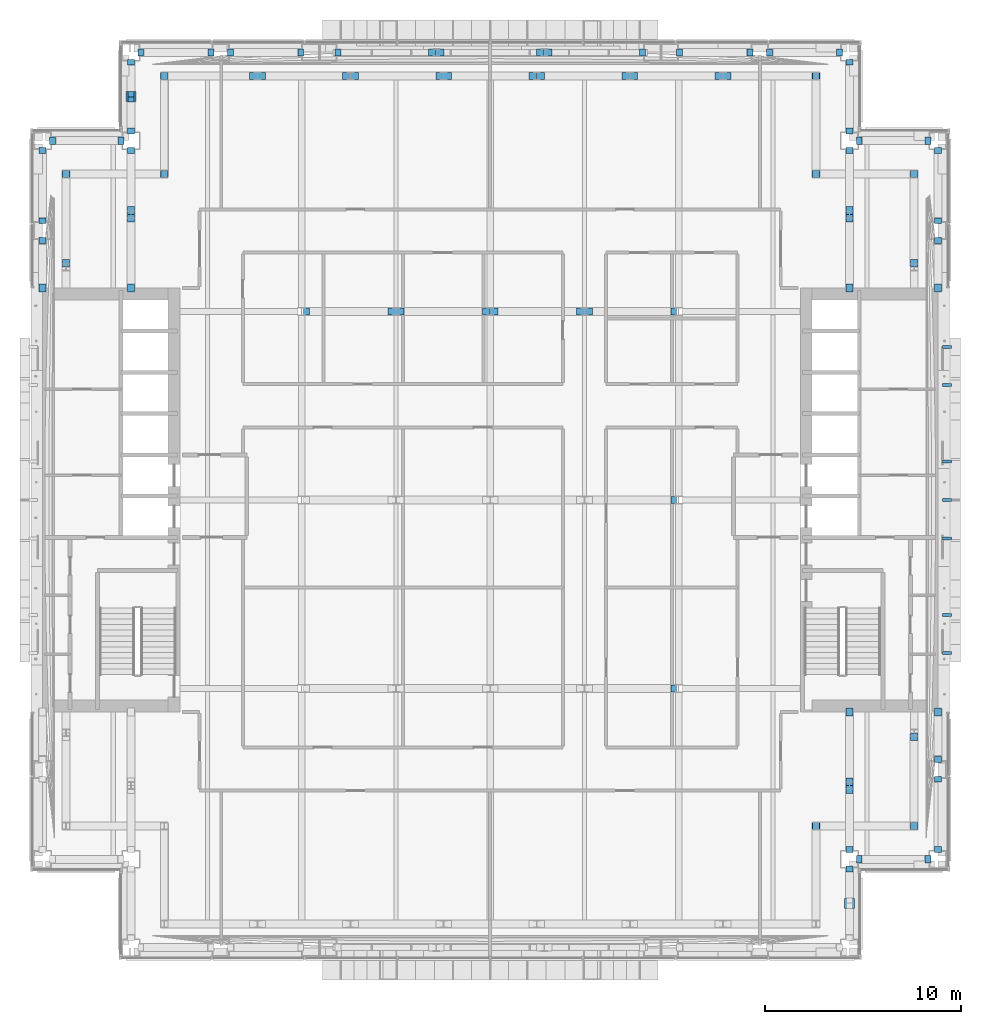
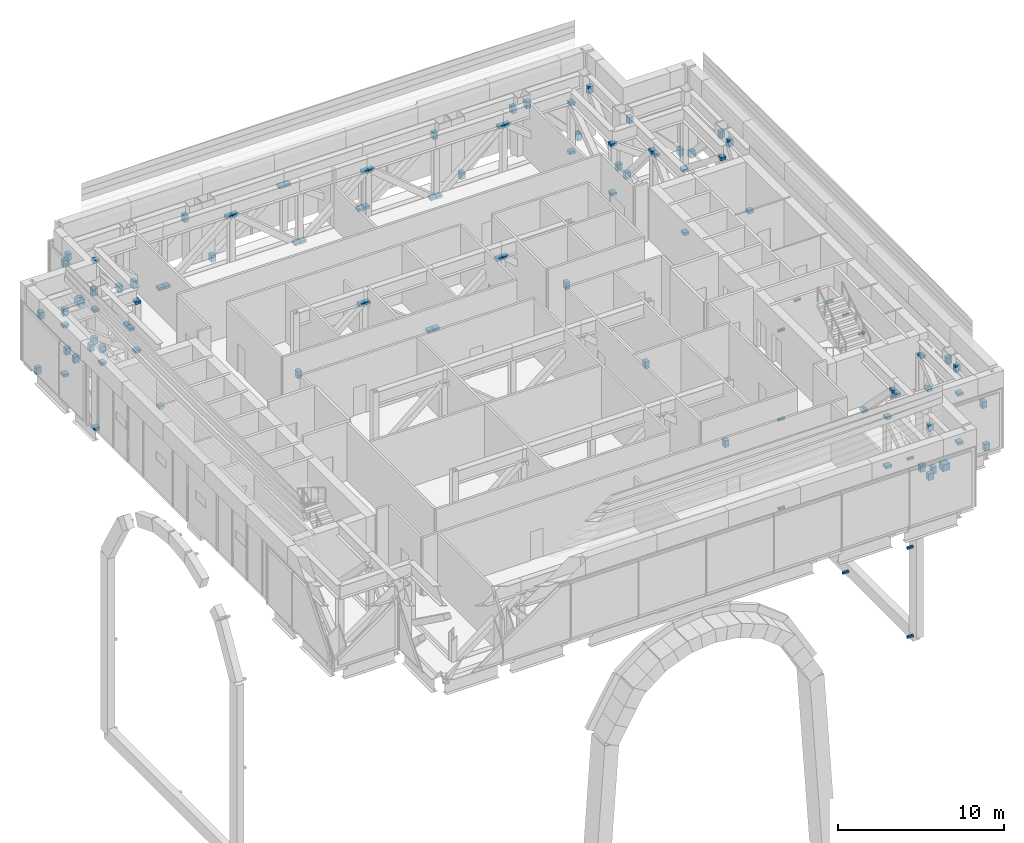
# One storey, part 14 of 38: 109 discrete accessories.
"""IFC4 building model written with IfcOpenShell, lengths in metres."""

from ifc_helpers import new_model, si_unit, direction, frame, origin, origin_2d, place, context, subcontext, project, spatial, rectangle, extrude, material, type_object, element, save


model = new_model("IFC4")

# Units and contexts
model_context = context("Model", 3, precision=1e-05, world=origin(), true_north=direction((0.0, 1.0)))
body_context = subcontext(model_context, "Body", "Model", "MODEL_VIEW")
ifc_project = project(units=[si_unit("LENGTHUNIT", "METRE"), si_unit("AREAUNIT", "SQUARE_METRE"), si_unit("VOLUMEUNIT", "CUBIC_METRE"), si_unit("PLANEANGLEUNIT", "RADIAN"), si_unit("MASSUNIT", "GRAM", prefix="KILO")], contexts=[model_context])

# Site, building, storey
site_placement = place(None, origin())
site = spatial("IfcSite", under=ifc_project, at=site_placement, CompositionType="ELEMENT")
building_placement = place(site_placement, origin())
building = spatial("IfcBuilding", under=site, at=building_placement, Name="Cobrizo Arcos Hotel Tower", CompositionType="ELEMENT")
storey_placement = place(building_placement, frame((0.0, 0.0, 138.0)))
storey = spatial("IfcBuildingStorey", under=building, at=storey_placement, Name="L35", CompositionType="ELEMENT", Elevation=138.0)

# Discrete accessories
ifc_material_1 = material(Name="Steel ASTM A500 Grade C", Category="steel")
discrete_accessory_type_1 = type_object("IfcDiscreteAccessoryType", Name="BR-1 fin bracket", PredefinedType="BRACKET", material=ifc_material_1)
for number, where, z_axis, x_axis, name in (
    (1, (23.27490234375, -7.800048828125, -7.507568359375), (0.0, 0.0, 1.0), (1.0, 0.0, 0.0), "Arch rim bracket B E"),
    (2, (23.27490234375, -5.85009765625, -4.108642578125), (0.0, 0.0, 1.0), (1.0, 0.0, 0.0), "Arch rim bracket B E"),
    (3, (23.27490234375, -1.949951171875, -1.85302734375), (0.0, 0.0, 1.0), (1.0, 0.0, 0.0), "Arch rim bracket B E"),
    (4, (23.27490234375, 0.0, -1.614990234375), (0.0, 0.0, 1.0), (1.0, 0.0, 0.0), "Arch rim bracket B E"),
    (5, (23.27490234375, 1.949951171875, -1.85302734375), (0.0, 0.0, 1.0), (1.0, 0.0, 0.0), "Arch rim bracket B E"),
    (6, (23.27490234375, 5.85009765625, -4.108642578125), (0.0, 0.0, 1.0), (1.0, 0.0, 0.0), "Arch rim bracket B E"),
    (7, (23.27490234375, 7.800048828125, -7.507568359375), (0.0, 0.0, 1.0), (1.0, 0.0, 0.0), "Arch rim bracket B E"),
    (8, (23.27490234375, -7.800048828125, -20.625), (0.0, 0.0, 1.0), (1.0, 0.0, 0.0), "Arch rim bracket B E"),
    (9, (23.27490234375, -7.800048828125, -14.066162109375), (0.0, 0.0, 1.0), (1.0, 0.0, 0.0), "Arch rim bracket B E"),
    (10, (23.27490234375, 7.800048828125, -20.625), (0.0, 0.0, 1.0), (1.0, 0.0, 0.0), "Arch rim bracket B E"),
    (11, (23.27490234375, 7.800048828125, -14.066162109375), (0.0, 0.0, 1.0), (1.0, 0.0, 0.0), "Arch rim bracket B E"),
    (12, (23.27490234375, 0.0, -20.625), (0.0, 0.0, 1.0), (1.0, 0.0, 0.0), "Arch rim bracket B E"),
):
    element("IfcDiscreteAccessory", number, at=place(storey_placement, frame(where, z_axis=z_axis, x_axis=x_axis)), inside=storey, type_object=discrete_accessory_type_1, Name=name, PredefinedType="BRACKET", context=body_context, shape_type="SweptSolid", body=[
        extrude(rectangle(XDim=0.449951171875, YDim=0.14990234375, at=origin_2d()), origin(), (0.0, 0.0, 1.0), 0.14990234375),
    ])
ifc_material_2 = material(Name="Steel ASTM A572 Grade 50", Category="steel")
discrete_accessory_type_2 = type_object("IfcDiscreteAccessoryType", Name="GP-2 node plate block 500x500x500", PredefinedType="BRACKET", material=ifc_material_2)
for number, where, z_axis, x_axis, name in (
    (13, (18.300048828125, -20.550048828125, 1.254638671875), (0.0, 0.0, 1.0), (1.0, 0.0, 0.0), "Gusset plate bt-td-L35-008"),
    (14, (-18.300048828125, 20.550048828125, 1.254638671875), (0.0, 0.0, 1.0), (1.0, 0.0, 0.0), "Gusset plate bt-td-L35-023"),
):
    element("IfcDiscreteAccessory", number, at=place(storey_placement, frame(where, z_axis=z_axis, x_axis=x_axis)), inside=storey, type_object=discrete_accessory_type_2, Name=name, PredefinedType="BRACKET", context=body_context, shape_type="SweptSolid", body=[
        extrude(rectangle(XDim=0.5, YDim=0.5, at=origin_2d()), origin(), (0.0, 0.0, 1.0), 0.5),
    ])
discrete_accessory_type_3 = type_object("IfcDiscreteAccessoryType", Name="GP-3 truss end block 300x360x500", PredefinedType="BRACKET", material=ifc_material_2)
for number, where, z_axis, x_axis, name in (
    (15, (18.300048828125, -18.800048828125, 3.059326171875), (0.0, 0.0, 1.0), (0.0, -1.0, 0.0), "Truss end block"),
    (16, (18.800048828125, -18.300048828125, -0.550048828125), (0.0, 0.0, 1.0), (1.0, 0.0, 0.0), "Truss end block"),
    (17, (22.300048828125, -18.300048828125, 3.059326171875), (0.0, 0.0, 1.0), (-1.0, 0.0, 0.0), "Truss end block"),
    (18, (22.800048828125, -17.800048828125, -0.550048828125), (0.0, 0.0, 1.0), (0.0, 1.0, 0.0), "Truss end block"),
    (19, (22.800048828125, -14.22509765625, 3.059326171875), (0.0, 0.0, 1.0), (0.0, -1.0, 0.0), "Truss end block"),
    (20, (22.800048828125, -13.22509765625, 3.059326171875), (0.0, 0.0, 1.0), (0.0, 1.0, 0.0), "Truss end block"),
    (21, (22.800048828125, 13.22509765625, 3.059326171875), (0.0, 0.0, 1.0), (0.0, -1.0, 0.0), "Truss end block"),
    (22, (22.800048828125, 14.22509765625, 3.059326171875), (0.0, 0.0, 1.0), (0.0, 1.0, 0.0), "Truss end block"),
    (23, (22.800048828125, 17.800048828125, -0.550048828125), (0.0, 0.0, 1.0), (0.0, -1.0, 0.0), "Truss end block"),
    (24, (22.300048828125, 18.300048828125, -0.550048828125), (0.0, 0.0, 1.0), (-1.0, 0.0, 0.0), "Truss end block"),
    (25, (18.800048828125, 18.300048828125, 3.059326171875), (0.0, 0.0, 1.0), (1.0, 0.0, 0.0), "Truss end block"),
    (26, (18.300048828125, 18.800048828125, -0.550048828125), (0.0, 0.0, 1.0), (0.0, 1.0, 0.0), "Truss end block"),
    (27, (18.300048828125, 22.300048828125, 3.059326171875), (0.0, 0.0, 1.0), (0.0, -1.0, 0.0), "Truss end block"),
    (28, (17.800048828125, 22.800048828125, -0.550048828125), (0.0, 0.0, 1.0), (-1.0, 0.0, 0.0), "Truss end block"),
    (29, (14.22509765625, 22.800048828125, 3.059326171875), (0.0, 0.0, 1.0), (1.0, 0.0, 0.0), "Truss end block"),
    (30, (13.22509765625, 22.800048828125, 3.059326171875), (0.0, 0.0, 1.0), (-1.0, 0.0, 0.0), "Truss end block"),
    (31, (9.64990234375, 22.800048828125, -0.550048828125), (0.0, 0.0, 1.0), (1.0, 0.0, 0.0), "Truss end block"),
    (32, (7.75, 22.800048828125, 3.059326171875), (0.0, 0.0, 1.0), (-1.0, 0.0, 0.0), "Truss end block"),
    (33, (-7.75, 22.800048828125, -0.550048828125), (0.0, 0.0, 1.0), (1.0, 0.0, 0.0), "Truss end block"),
    (34, (-9.64990234375, 22.800048828125, 3.059326171875), (0.0, 0.0, 1.0), (-1.0, 0.0, 0.0), "Truss end block"),
    (35, (-13.22509765625, 22.800048828125, -0.550048828125), (0.0, 0.0, 1.0), (1.0, 0.0, 0.0), "Truss end block"),
    (36, (-14.22509765625, 22.800048828125, -0.550048828125), (0.0, 0.0, 1.0), (-1.0, 0.0, 0.0), "Truss end block"),
    (37, (-17.800048828125, 22.800048828125, 3.059326171875), (0.0, 0.0, 1.0), (1.0, 0.0, 0.0), "Truss end block"),
    (38, (-18.300048828125, 22.300048828125, -0.550048828125), (0.0, 0.0, 1.0), (0.0, -1.0, 0.0), "Truss end block"),
    (39, (-18.300048828125, 18.800048828125, 3.059326171875), (0.0, 0.0, 1.0), (0.0, 1.0, 0.0), "Truss end block"),
    (40, (-18.800048828125, 18.300048828125, -0.550048828125), (0.0, 0.0, 1.0), (-1.0, 0.0, 0.0), "Truss end block"),
    (41, (-22.300048828125, 18.300048828125, 3.059326171875), (0.0, 0.0, 1.0), (1.0, 0.0, 0.0), "Truss end block"),
    (42, (-22.800048828125, 17.800048828125, -0.550048828125), (0.0, 0.0, 1.0), (0.0, -1.0, 0.0), "Truss end block"),
    (43, (-22.800048828125, 14.22509765625, 3.059326171875), (0.0, 0.0, 1.0), (0.0, 1.0, 0.0), "Truss end block"),
    (44, (-22.800048828125, 13.22509765625, 3.059326171875), (0.0, 0.0, 1.0), (0.0, -1.0, 0.0), "Truss end block"),
    (45, (18.300048828125, -17.800048828125, -0.550048828125), (0.0, 0.0, 1.0), (0.0, 1.0, 0.0), "Truss end block"),
    (46, (18.300048828125, -18.800048828125, -0.550048828125), (0.0, 0.0, 1.0), (0.0, -1.0, 0.0), "Truss end block"),
    (47, (18.300048828125, 17.800048828125, -0.550048828125), (0.0, 0.0, 1.0), (0.0, -1.0, 0.0), "Truss end block"),
    (48, (-18.300048828125, 17.800048828125, -0.550048828125), (0.0, 0.0, 1.0), (0.0, -1.0, 0.0), "Truss end block"),
    (49, (-18.300048828125, 18.800048828125, -0.550048828125), (0.0, 0.0, 1.0), (0.0, 1.0, 0.0), "Truss end block"),
    (50, (-18.300048828125, 22.300048828125, 3.059326171875), (0.0, 0.0, 1.0), (0.0, -1.0, 0.0), "Truss end block"),
    (51, (9.3505859375, -9.60009765625, -0.550048828125), (0.0, 0.0, 1.0), (-1.0, 0.0, 0.0), "Truss end block"),
    (52, (9.3505859375, 0.0, -0.550048828125), (0.0, 0.0, 1.0), (-1.0, 0.0, 0.0), "Truss end block"),
    (53, (-9.3505859375, 9.60009765625, -0.550048828125), (0.0, 0.0, 1.0), (1.0, 0.0, 0.0), "Truss end block"),
    (54, (9.3505859375, 9.60009765625, -0.550048828125), (0.0, 0.0, 1.0), (-1.0, 0.0, 0.0), "Truss end block"),
):
    element("IfcDiscreteAccessory", number, at=place(storey_placement, frame(where, z_axis=z_axis, x_axis=x_axis)), inside=storey, type_object=discrete_accessory_type_3, Name=name, PredefinedType="BRACKET", context=body_context, shape_type="SweptSolid", body=[
        extrude(rectangle(XDim=0.300048828125, YDim=0.360107421875, at=origin_2d()), origin(), (0.0, 0.0, 1.0), 0.5),
    ])
discrete_accessory_type_4 = type_object("IfcDiscreteAccessoryType", Name="GP-4 truss chord plate 400x360x200", PredefinedType="BRACKET", material=ifc_material_2)
for number, where, z_axis, x_axis, name in (
    (55, (22.800048828125, -10.801025390625, -0.39990234375), (0.0, 0.0, 1.0), (0.0, 1.0, 0.0), "Truss chord plate"),
    (56, (22.800048828125, 10.801025390625, -0.39990234375), (0.0, 0.0, 1.0), (0.0, 1.0, 0.0), "Truss chord plate"),
    (57, (2.949951171875, 22.800048828125, -0.39990234375), (0.0, 0.0, 1.0), (-1.0, 0.0, 0.0), "Truss chord plate"),
    (58, (2.550048828125, 22.800048828125, -0.39990234375), (0.0, 0.0, 1.0), (-1.0, 0.0, 0.0), "Truss chord plate"),
    (59, (-2.550048828125, 22.800048828125, 3.20947265625), (0.0, 0.0, 1.0), (-1.0, 0.0, 0.0), "Truss chord plate"),
    (60, (-2.949951171875, 22.800048828125, 3.20947265625), (0.0, 0.0, 1.0), (-1.0, 0.0, 0.0), "Truss chord plate"),
    (61, (-22.800048828125, 10.801025390625, -0.39990234375), (0.0, 0.0, 1.0), (0.0, -1.0, 0.0), "Truss chord plate"),
    (62, (16.60009765625, -16.60009765625, 3.20947265625), (0.0, 0.0, 1.0), (0.0, 1.0, 0.0), "Truss chord plate"),
    (63, (16.60009765625, -16.60009765625, -0.39990234375), (0.0, 0.0, 1.0), (1.0, 0.0, 0.0), "Truss chord plate"),
    (64, (21.60009765625, -16.60009765625, 3.20947265625), (0.0, 0.0, 1.0), (1.0, 0.0, 0.0), "Truss chord plate"),
    (65, (21.60009765625, -16.60009765625, -0.39990234375), (0.0, 0.0, 1.0), (0.0, 1.0, 0.0), "Truss chord plate"),
    (66, (21.60009765625, -12.056884765625, 3.20947265625), (0.0, 0.0, 1.0), (0.0, 1.0, 0.0), "Truss chord plate"),
    (67, (21.60009765625, 12.056884765625, 3.20947265625), (0.0, 0.0, 1.0), (0.0, 1.0, 0.0), "Truss chord plate"),
    (68, (21.60009765625, 16.60009765625, -0.39990234375), (0.0, 0.0, 1.0), (0.0, 1.0, 0.0), "Truss chord plate"),
    (69, (21.60009765625, 16.60009765625, -0.39990234375), (0.0, 0.0, 1.0), (-1.0, 0.0, 0.0), "Truss chord plate"),
    (70, (16.60009765625, 16.60009765625, 3.20947265625), (0.0, 0.0, 1.0), (-1.0, 0.0, 0.0), "Truss chord plate"),
    (71, (16.60009765625, 16.60009765625, -0.39990234375), (0.0, 0.0, 1.0), (0.0, 1.0, 0.0), "Truss chord plate"),
    (72, (16.60009765625, 21.60009765625, 3.20947265625), (0.0, 0.0, 1.0), (0.0, 1.0, 0.0), "Truss chord plate"),
    (73, (16.60009765625, 21.60009765625, -0.39990234375), (0.0, 0.0, 1.0), (-1.0, 0.0, 0.0), "Truss chord plate"),
    (74, (12.056884765625, 21.60009765625, 3.20947265625), (0.0, 0.0, 1.0), (-1.0, 0.0, 0.0), "Truss chord plate"),
    (75, (11.656982421875, 21.60009765625, 3.20947265625), (0.0, 0.0, 1.0), (-1.0, 0.0, 0.0), "Truss chord plate"),
    (76, (7.31396484375, 21.60009765625, -0.39990234375), (0.0, 0.0, 1.0), (-1.0, 0.0, 0.0), "Truss chord plate"),
    (77, (6.9140625, 21.60009765625, -0.39990234375), (0.0, 0.0, 1.0), (-1.0, 0.0, 0.0), "Truss chord plate"),
    (78, (2.571044921875, 21.60009765625, 3.20947265625), (0.0, 0.0, 1.0), (-1.0, 0.0, 0.0), "Truss chord plate"),
    (79, (2.1708984375, 21.60009765625, 3.20947265625), (0.0, 0.0, 1.0), (-1.0, 0.0, 0.0), "Truss chord plate"),
    (80, (-2.1708984375, 21.60009765625, -0.39990234375), (0.0, 0.0, 1.0), (-1.0, 0.0, 0.0), "Truss chord plate"),
    (81, (-2.571044921875, 21.60009765625, -0.39990234375), (0.0, 0.0, 1.0), (-1.0, 0.0, 0.0), "Truss chord plate"),
    (82, (-6.9140625, 21.60009765625, 3.20947265625), (0.0, 0.0, 1.0), (-1.0, 0.0, 0.0), "Truss chord plate"),
    (83, (-7.31396484375, 21.60009765625, 3.20947265625), (0.0, 0.0, 1.0), (-1.0, 0.0, 0.0), "Truss chord plate"),
    (84, (-11.656982421875, 21.60009765625, -0.39990234375), (0.0, 0.0, 1.0), (-1.0, 0.0, 0.0), "Truss chord plate"),
    (85, (-12.056884765625, 21.60009765625, -0.39990234375), (0.0, 0.0, 1.0), (-1.0, 0.0, 0.0), "Truss chord plate"),
    (86, (-16.60009765625, 21.60009765625, 3.20947265625), (0.0, 0.0, 1.0), (-1.0, 0.0, 0.0), "Truss chord plate"),
    (87, (-16.60009765625, 21.60009765625, -0.39990234375), (0.0, 0.0, 1.0), (0.0, -1.0, 0.0), "Truss chord plate"),
    (88, (-16.60009765625, 16.60009765625, 3.20947265625), (0.0, 0.0, 1.0), (0.0, -1.0, 0.0), "Truss chord plate"),
    (89, (-16.60009765625, 16.60009765625, -0.39990234375), (0.0, 0.0, 1.0), (-1.0, 0.0, 0.0), "Truss chord plate"),
    (90, (-21.60009765625, 16.60009765625, 3.20947265625), (0.0, 0.0, 1.0), (-1.0, 0.0, 0.0), "Truss chord plate"),
    (91, (-21.60009765625, 16.60009765625, -0.39990234375), (0.0, 0.0, 1.0), (0.0, -1.0, 0.0), "Truss chord plate"),
    (92, (-21.60009765625, 12.056884765625, 3.20947265625), (0.0, 0.0, 1.0), (0.0, -1.0, 0.0), "Truss chord plate"),
    (93, (18.300048828125, -10.800048828125, -0.39990234375), (0.0, 0.0, 1.0), (0.0, -1.0, 0.0), "Truss chord plate"),
    (94, (18.300048828125, -14.35009765625, 3.20947265625), (0.0, 0.0, 1.0), (0.0, -1.0, 0.0), "Truss chord plate"),
    (95, (18.300048828125, -14.75, 3.20947265625), (0.0, 0.0, 1.0), (0.0, -1.0, 0.0), "Truss chord plate"),
    (96, (18.300048828125, 10.800048828125, -0.39990234375), (0.0, 0.0, 1.0), (0.0, 1.0, 0.0), "Truss chord plate"),
    (97, (18.300048828125, 14.35009765625, 3.20947265625), (0.0, 0.0, 1.0), (0.0, 1.0, 0.0), "Truss chord plate"),
    (98, (18.300048828125, 14.75, 3.20947265625), (0.0, 0.0, 1.0), (0.0, 1.0, 0.0), "Truss chord plate"),
    (99, (-18.300048828125, 10.800048828125, -0.39990234375), (0.0, 0.0, 1.0), (0.0, 1.0, 0.0), "Truss chord plate"),
    (100, (-18.300048828125, 14.35009765625, 3.20947265625), (0.0, 0.0, 1.0), (0.0, 1.0, 0.0), "Truss chord plate"),
    (101, (-18.300048828125, 14.75, 3.20947265625), (0.0, 0.0, 1.0), (0.0, 1.0, 0.0), "Truss chord plate"),
    (102, (-5.0, 9.60009765625, 3.20947265625), (0.0, 0.0, 1.0), (1.0, 0.0, 0.0), "Truss chord plate"),
    (103, (-4.60009765625, 9.60009765625, 3.20947265625), (0.0, 0.0, 1.0), (1.0, 0.0, 0.0), "Truss chord plate"),
    (104, (-0.199951171875, 9.60009765625, -0.39990234375), (0.0, 0.0, 1.0), (1.0, 0.0, 0.0), "Truss chord plate"),
    (105, (0.199951171875, 9.60009765625, -0.39990234375), (0.0, 0.0, 1.0), (1.0, 0.0, 0.0), "Truss chord plate"),
    (106, (4.60009765625, 9.60009765625, 3.20947265625), (0.0, 0.0, 1.0), (1.0, 0.0, 0.0), "Truss chord plate"),
    (107, (5.0, 9.60009765625, 3.20947265625), (0.0, 0.0, 1.0), (1.0, 0.0, 0.0), "Truss chord plate"),
):
    element("IfcDiscreteAccessory", number, at=place(storey_placement, frame(where, z_axis=z_axis, x_axis=x_axis)), inside=storey, type_object=discrete_accessory_type_4, Name=name, PredefinedType="BRACKET", context=body_context, shape_type="SweptSolid", body=[
        extrude(rectangle(XDim=0.39990234375, YDim=0.360107421875, at=origin_2d()), origin(), (0.0, 0.0, 1.0), 0.199951171875),
    ])
discrete_accessory_type_5 = type_object("IfcDiscreteAccessoryType", Name="GP-5 brace end plate 300x300x300", PredefinedType="BRACKET", material=ifc_material_2)
for number, where, z_axis, x_axis, name in (
    (108, (-18.300048828125, 20.430419921875, 1.22900390625), (0.0, 0.0, 1.0), (1.0, 0.0, 0.0), "Brace end plate"),
    (109, (-18.300048828125, 20.669677734375, 1.47998046875), (0.0, 0.0, 1.0), (1.0, 0.0, 0.0), "Brace end plate"),
):
    element("IfcDiscreteAccessory", number, at=place(storey_placement, frame(where, z_axis=z_axis, x_axis=x_axis)), inside=storey, type_object=discrete_accessory_type_5, Name=name, PredefinedType="BRACKET", context=body_context, shape_type="SweptSolid", body=[
        extrude(rectangle(XDim=0.300048828125, YDim=0.300048828125, at=origin_2d()), origin(), (0.0, 0.0, 1.0), 0.300048828125),
    ])

save(model, "model.ifc")
